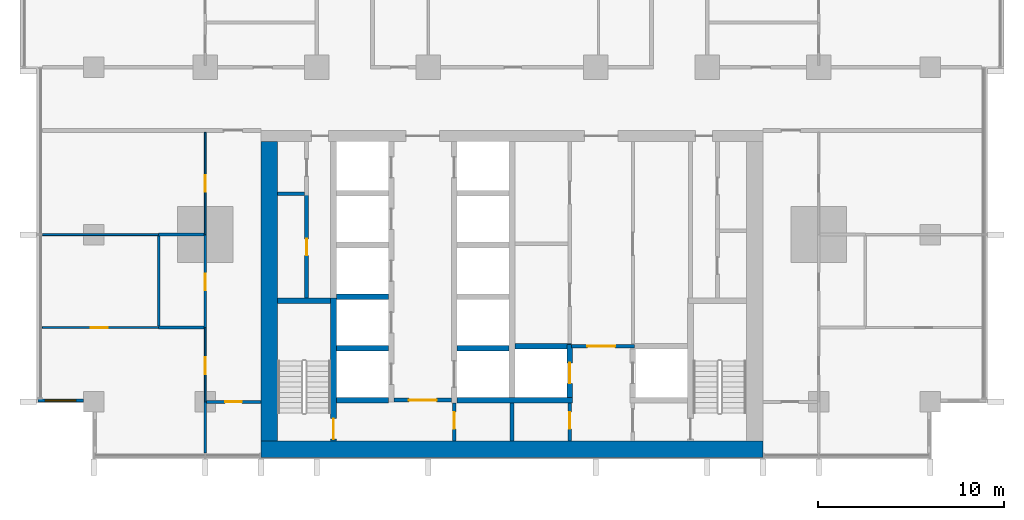
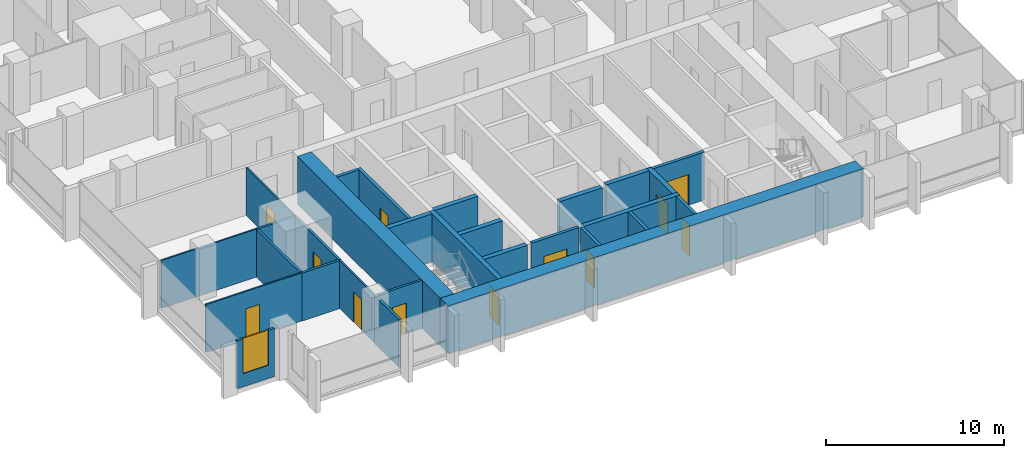
# One storey, part 7 of 18: 29 walls, 12 doors, 1 window, 13 openings.
"""IFC4 building model written with IfcOpenShell, lengths in metres."""

from ifc_helpers import new_model, si_unit, direction, frame, frame_2d, origin, place, context, subcontext, project, spatial, rectangle, extrude, material, layer, layer_set, type_object, element, fill, save


model = new_model("IFC4")

# Units and contexts
model_context = context("Model", 3, precision=1e-05, world=origin(), true_north=direction((0.0, 1.0)))
body_context = subcontext(model_context, "Body", "Model", "MODEL_VIEW")
ifc_project = project(units=[si_unit("LENGTHUNIT", "METRE"), si_unit("AREAUNIT", "SQUARE_METRE"), si_unit("VOLUMEUNIT", "CUBIC_METRE"), si_unit("PLANEANGLEUNIT", "RADIAN"), si_unit("MASSUNIT", "GRAM", prefix="KILO")], contexts=[model_context])

# Site, building, storey
site_placement = place(None, origin())
site = spatial("IfcSite", under=ifc_project, at=site_placement, CompositionType="ELEMENT")
building_placement = place(site_placement, origin())
building = spatial("IfcBuilding", under=site, at=building_placement, Name="Finial Court Residences", CompositionType="ELEMENT")
storey_placement = place(building_placement, frame((0.0, 0.0, 54.10009765625)))
storey = spatial("IfcBuildingStorey", under=building, at=storey_placement, Name="L12", CompositionType="ELEMENT", Elevation=54.10009765625)

# Walls
ifc_material_1 = material(Name="Concrete C80/95", Category="concrete")
ifc_layer_1 = layer(ifc_material_1, 0.89990234375)
ifc_layer_set_1 = layer_set([ifc_layer_1], Name="Core outer wall 900 Concrete C80/95")
wall_type_1 = type_object("IfcWallType", Name="Core outer wall 900 Concrete C80/95", PredefinedType="SHEAR", material=ifc_layer_set_1)
wall_1_placement = place(storey_placement, frame((-13.050048828125, -24.60009765625, 0.0), z_axis=(0.0, 0.0, 1.0), x_axis=(0.0, 1.0, 0.0)))
element("IfcWall", 1, at=wall_1_placement, inside=storey, type_object=wall_type_1, Name="Core outer wall L12-03", PredefinedType="SHEAR", context=body_context, shape_type="SweptSolid", body=[
    extrude(rectangle(XDim=16.10009765625, YDim=0.89990234375, at=frame_2d((8.050048828125, 0.0))), origin(), (0.0, 0.0, 1.0), 3.2998046875),
])
ifc_layer_2 = layer(ifc_material_1, 0.89990234375)
ifc_layer_set_2 = layer_set([ifc_layer_2], Name="Core south facade wall 900 Concrete C80/95")
wall_type_2 = type_object("IfcWallType", Name="Core south facade wall 900 Concrete C80/95", PredefinedType="SHEAR", material=ifc_layer_set_2)
wall_2_placement = place(storey_placement, frame((-13.5, -25.050048828125, 0.0), z_axis=(0.0, 0.0, 1.0), x_axis=(1.0, 0.0, 0.0)))
element("IfcWall", 2, at=wall_2_placement, inside=storey, type_object=wall_type_2, Name="Core outer wall L12-01", PredefinedType="SHEAR", context=body_context, shape_type="SweptSolid", body=[
    extrude(rectangle(XDim=27.0, YDim=0.89990234375, at=frame_2d((13.5, 0.0))), origin(), (0.0, 0.0, 1.0), 3.2998046875),
])

# Wall, opening, door
ifc_material_2 = material(Name="Fire-rated gypsum board partition")
ifc_layer_3 = layer(ifc_material_2, 0.199951171875)
ifc_layer_set_3 = layer_set([ifc_layer_3], Name="Firefighting lobby wall 200 EI 120")
wall_type_3 = type_object("IfcWallType", Name="Firefighting lobby wall 200 EI 120", PredefinedType="PARTITIONING", material=ifc_layer_set_3)
wall_3_placement = place(storey_placement, frame((6.574951171875, -19.5, 0.0), z_axis=(0.0, 0.0, 1.0), x_axis=(-1.0, 0.0, 0.0)))
wall_3 = element("IfcWall", 3, at=wall_3_placement, inside=storey, type_object=wall_type_3, Name="Core partition L12-08", PredefinedType="PARTITIONING", context=body_context, shape_type="SweptSolid", body=[
    extrude(rectangle(XDim=3.375, YDim=0.199951171875, at=frame_2d((1.6875, 0.0))), origin(), (0.0, 0.0, 1.0), 3.2998046875),
])
opening_1_placement = place(wall_3_placement, frame((1.02490234375, 0.0, 0.0)))
opening_1 = element("IfcOpeningElement", 4, at=opening_1_placement, cuts=wall_3, Name="Opening L12-C02", PredefinedType="OPENING", context=body_context, shape_type="SweptSolid", body=[
    extrude(rectangle(XDim=1.5, YDim=2.10009765625, at=frame_2d((0.75, 1.050048828125))), frame((0.0, 0.10986328125, 0.0), z_axis=(0.0, -1.0, 0.0), x_axis=(1.0, 0.0, 0.0)), (0.0, 0.0, 1.0), 0.219970703125),
])
ifc_material_3 = material(Name="Steel fire door", Category="steel")
door_type_1 = type_object("IfcDoorType", Name="Firefighting lobby door 1500 x 2100 EI 90", OperationType="DOUBLE_DOOR_SINGLE_SWING", PredefinedType="DOOR", material=ifc_material_3)
door_1_placement = place(opening_1_placement, origin())
door_1 = element("IfcDoor", 5, at=door_1_placement, inside=storey, type_object=door_type_1, Name="Firefighting lobby door L12-C02", OperationType="DOUBLE_DOOR_SINGLE_SWING", OverallHeight=2.10009765625, OverallWidth=1.5, PredefinedType="DOOR", context=body_context, shape_type="SweptSolid", body=[
    extrude(rectangle(XDim=1.5, YDim=2.10009765625, at=frame_2d((0.75, 1.050048828125))), frame((0.0, 0.02490234375, 0.0), z_axis=(0.0, -1.0, 0.0), x_axis=(1.0, 0.0, 0.0)), (0.0, 0.0, 1.0), 0.050048828125),
])
fill(opening_1, door_1)

wall_4_placement = place(storey_placement, frame((3.10009765625, -24.60009765625, 0.0), z_axis=(0.0, 0.0, 1.0), x_axis=(0.0, 1.0, 0.0)))
wall_4 = element("IfcWall", 6, at=wall_4_placement, inside=storey, type_object=wall_type_3, Name="Core partition L12-30", PredefinedType="PARTITIONING", context=body_context, shape_type="SweptSolid", body=[
    extrude(rectangle(XDim=2.050048828125, YDim=0.199951171875, at=frame_2d((1.02490234375, 0.0))), origin(), (0.0, 0.0, 1.0), 3.2998046875),
])
opening_2_placement = place(wall_4_placement, frame((0.64990234375, 0.0, 0.0)))
opening_2 = element("IfcOpeningElement", 7, at=opening_2_placement, cuts=wall_4, Name="Opening L12-C06", PredefinedType="OPENING", context=body_context, shape_type="SweptSolid", body=[
    extrude(rectangle(XDim=0.89990234375, YDim=2.10009765625, at=frame_2d((0.449951171875, 1.050048828125))), frame((0.0, 0.10986328125, 0.0), z_axis=(0.0, -1.0, 0.0), x_axis=(1.0, 0.0, 0.0)), (0.0, 0.0, 1.0), 0.219970703125),
])
door_type_2 = type_object("IfcDoorType", Name="Riser room door 900 x 2100 EI 90", OperationType="NOTDEFINED", PredefinedType="DOOR", material=ifc_material_3)
door_2_placement = place(opening_2_placement, origin())
door_2 = element("IfcDoor", 8, at=door_2_placement, inside=storey, type_object=door_type_2, Name="Riser room door L12-C06", OperationType="SINGLE_SWING_LEFT", OverallHeight=2.10009765625, OverallWidth=0.89990234375, PredefinedType="DOOR", context=body_context, shape_type="SweptSolid", body=[
    extrude(rectangle(XDim=0.89990234375, YDim=2.10009765625, at=frame_2d((0.449951171875, 1.050048828125))), frame((0.0, 0.02490234375, 0.0), z_axis=(0.0, -1.0, 0.0), x_axis=(1.0, 0.0, 0.0)), (0.0, 0.0, 1.0), 0.050048828125),
])
fill(opening_2, door_2)

ifc_material_4 = material(Name="Gypsum board")
ifc_layer_4 = layer(ifc_material_4, 0.012451171875)
ifc_material_5 = material(Name="Mineral wool in light-gauge frame")
ifc_layer_5 = layer(ifc_material_5, 0.074951171875)
ifc_layer_6 = layer(ifc_material_4, 0.012451171875)
ifc_layer_set_4 = layer_set([ifc_layer_4, ifc_layer_5, ifc_layer_6], Name="Gypsum board partition 100")
wall_type_4 = type_object("IfcWallType", Name="Gypsum board partition 100", PredefinedType="PARTITIONING", material=ifc_layer_set_4)
wall_5_placement = place(storey_placement, frame((-25.25, -18.5, 0.0), z_axis=(0.0, 0.0, 1.0), x_axis=(1.0, 0.0, 0.0)))
wall_5 = element("IfcWall", 9, at=wall_5_placement, inside=storey, type_object=wall_type_4, Name="Partition L12-002", PredefinedType="PARTITIONING", context=body_context, shape_type="SweptSolid", body=[
    extrude(rectangle(XDim=6.25, YDim=0.10009765625, at=frame_2d((3.125, 0.0))), origin(), (0.0, 0.0, 1.0), 3.2998046875),
])
opening_3_placement = place(wall_5_placement, frame((2.60009765625, 0.0, 0.0)))
opening_3 = element("IfcOpeningElement", 10, at=opening_3_placement, cuts=wall_5, Name="Opening L12-D003", PredefinedType="OPENING", context=body_context, shape_type="SweptSolid", body=[
    extrude(rectangle(XDim=0.89990234375, YDim=2.10009765625, at=frame_2d((0.449951171875, 1.050048828125))), frame((0.0, 0.06005859375, 0.0), z_axis=(0.0, -1.0, 0.0), x_axis=(1.0, 0.0, 0.0)), (0.0, 0.0, 1.0), 0.1201171875),
])
ifc_material_6 = material(Name="Timber door leaf in timber frame", Category="wood")
door_type_3 = type_object("IfcDoorType", Name="Door set 900 x 2100", OperationType="SINGLE_SWING_LEFT", PredefinedType="DOOR", material=ifc_material_6)
door_3_placement = place(opening_3_placement, origin())
door_3 = element("IfcDoor", 11, at=door_3_placement, inside=storey, type_object=door_type_3, Name="Door L12-D003", OperationType="SINGLE_SWING_LEFT", OverallHeight=2.10009765625, OverallWidth=0.89990234375, PredefinedType="DOOR", context=body_context, shape_type="SweptSolid", body=[
    extrude(rectangle(XDim=0.89990234375, YDim=2.10009765625, at=frame_2d((0.449951171875, 1.050048828125))), frame((0.0, 0.02490234375, 0.0), z_axis=(0.0, -1.0, 0.0), x_axis=(1.0, 0.0, 0.0)), (0.0, 0.0, 1.0), 0.050048828125),
])
fill(opening_3, door_3)

# Wall
wall_6_placement = place(storey_placement, frame((-25.25, -13.5, 0.0), z_axis=(0.0, 0.0, 1.0), x_axis=(1.0, 0.0, 0.0)))
element("IfcWall", 12, at=wall_6_placement, inside=storey, type_object=wall_type_4, Name="Partition L12-006", PredefinedType="PARTITIONING", context=body_context, shape_type="SweptSolid", body=[
    extrude(rectangle(XDim=6.25, YDim=0.10009765625, at=frame_2d((3.125, 0.0))), origin(), (0.0, 0.0, 1.0), 3.2998046875),
])

# Wall, opening, door
wall_7_placement = place(storey_placement, frame((-16.5, -22.5, 0.0), z_axis=(0.0, 0.0, 1.0), x_axis=(0.0, 1.0, 0.0)))
wall_7 = element("IfcWall", 13, at=wall_7_placement, inside=storey, type_object=wall_type_4, Name="Partition L12-060", PredefinedType="PARTITIONING", context=body_context, shape_type="SweptSolid", body=[
    extrude(rectangle(XDim=4.0, YDim=0.10009765625, at=frame_2d((2.0, 0.0))), origin(), (0.0, 0.0, 1.0), 3.2998046875),
])
opening_4_placement = place(wall_7_placement, frame((1.5, 0.0, 0.0)))
opening_4 = element("IfcOpeningElement", 14, at=opening_4_placement, cuts=wall_7, Name="Opening L12-D035", PredefinedType="OPENING", context=body_context, shape_type="SweptSolid", body=[
    extrude(rectangle(XDim=0.89990234375, YDim=2.10009765625, at=frame_2d((0.449951171875, 1.050048828125))), frame((0.0, 0.06005859375, 0.0), z_axis=(0.0, -1.0, 0.0), x_axis=(1.0, 0.0, 0.0)), (0.0, 0.0, 1.0), 0.1201171875),
])
door_4_placement = place(opening_4_placement, origin())
door_4 = element("IfcDoor", 15, at=door_4_placement, inside=storey, type_object=door_type_3, Name="Door L12-D035", OperationType="SINGLE_SWING_LEFT", OverallHeight=2.10009765625, OverallWidth=0.89990234375, PredefinedType="DOOR", context=body_context, shape_type="SweptSolid", body=[
    extrude(rectangle(XDim=0.89990234375, YDim=2.10009765625, at=frame_2d((0.449951171875, 1.050048828125))), frame((0.0, 0.02490234375, 0.0), z_axis=(0.0, -1.0, 0.0), x_axis=(1.0, 0.0, 0.0)), (0.0, 0.0, 1.0), 0.050048828125),
])
fill(opening_4, door_4)

wall_8_placement = place(storey_placement, frame((-16.5, -13.5, 0.0), z_axis=(0.0, 0.0, 1.0), x_axis=(0.0, 1.0, 0.0)))
wall_8 = element("IfcWall", 16, at=wall_8_placement, inside=storey, type_object=wall_type_4, Name="Partition L12-061", PredefinedType="PARTITIONING", context=body_context, shape_type="SweptSolid", body=[
    extrude(rectangle(XDim=5.5, YDim=0.10009765625, at=frame_2d((2.75, 0.0))), origin(), (0.0, 0.0, 1.0), 3.2998046875),
])
opening_5_placement = place(wall_8_placement, frame((2.300048828125, 0.0, 0.0)))
opening_5 = element("IfcOpeningElement", 17, at=opening_5_placement, cuts=wall_8, Name="Opening L12-D036", PredefinedType="OPENING", context=body_context, shape_type="SweptSolid", body=[
    extrude(rectangle(XDim=0.89990234375, YDim=2.10009765625, at=frame_2d((0.449951171875, 1.050048828125))), frame((0.0, 0.06005859375, 0.0), z_axis=(0.0, -1.0, 0.0), x_axis=(1.0, 0.0, 0.0)), (0.0, 0.0, 1.0), 0.1201171875),
])
door_5_placement = place(opening_5_placement, origin())
door_5 = element("IfcDoor", 18, at=door_5_placement, inside=storey, type_object=door_type_3, Name="Door L12-D036", OperationType="SINGLE_SWING_LEFT", OverallHeight=2.10009765625, OverallWidth=0.89990234375, PredefinedType="DOOR", context=body_context, shape_type="SweptSolid", body=[
    extrude(rectangle(XDim=0.89990234375, YDim=2.10009765625, at=frame_2d((0.449951171875, 1.050048828125))), frame((0.0, 0.02490234375, 0.0), z_axis=(0.0, -1.0, 0.0), x_axis=(1.0, 0.0, 0.0)), (0.0, 0.0, 1.0), 0.050048828125),
])
fill(opening_5, door_5)

ifc_material_7 = material(Name="Moisture-resistant gypsum board")
ifc_layer_7 = layer(ifc_material_7, 0.012451171875)
ifc_layer_8 = layer(ifc_material_5, 0.125)
ifc_layer_9 = layer(ifc_material_7, 0.012451171875)
ifc_layer_set_5 = layer_set([ifc_layer_7, ifc_layer_8, ifc_layer_9], Name="Gypsum board wet-area partition 150")
wall_type_5 = type_object("IfcWallType", Name="Gypsum board wet-area partition 150", PredefinedType="PARTITIONING", material=ifc_layer_set_5)
wall_9_placement = place(storey_placement, frame((-16.425048828125, -22.5, 0.0), z_axis=(0.0, 0.0, 1.0), x_axis=(1.0, 0.0, 0.0)))
wall_9 = element("IfcWall", 19, at=wall_9_placement, inside=storey, type_object=wall_type_5, Name="Partition L12-000", PredefinedType="PARTITIONING", context=body_context, shape_type="SweptSolid", body=[
    extrude(rectangle(XDim=2.925048828125, YDim=0.14990234375, at=frame_2d((1.46240234375, 0.0))), origin(), (0.0, 0.0, 1.0), 3.2998046875),
])
opening_6_placement = place(wall_9_placement, frame((1.0, 0.0, 0.0)))
opening_6 = element("IfcOpeningElement", 20, at=opening_6_placement, cuts=wall_9, Name="Opening L12-D001", PredefinedType="OPENING", context=body_context, shape_type="SweptSolid", body=[
    extrude(rectangle(XDim=0.89990234375, YDim=2.10009765625, at=frame_2d((0.449951171875, 1.050048828125))), frame((0.0, 0.0849609375, 0.0), z_axis=(0.0, -1.0, 0.0), x_axis=(1.0, 0.0, 0.0)), (0.0, 0.0, 1.0), 0.169921875),
])
door_6_placement = place(opening_6_placement, origin())
door_6 = element("IfcDoor", 21, at=door_6_placement, inside=storey, type_object=door_type_3, Name="Door L12-D001", OperationType="SINGLE_SWING_LEFT", OverallHeight=2.10009765625, OverallWidth=0.89990234375, PredefinedType="DOOR", context=body_context, shape_type="SweptSolid", body=[
    extrude(rectangle(XDim=0.89990234375, YDim=2.10009765625, at=frame_2d((0.449951171875, 1.050048828125))), frame((0.0, 0.02490234375, 0.0), z_axis=(0.0, -1.0, 0.0), x_axis=(1.0, 0.0, 0.0)), (0.0, 0.0, 1.0), 0.050048828125),
])
fill(opening_6, door_6)

# Walls
for number, where, z_axis, x_axis, name in (
    (22, (-19.0, -18.5, 0.0), (0.0, 0.0, 1.0), (1.0, 0.0, 0.0), "Partition L12-004"),
    (23, (-19.0, -13.5, 0.0), (0.0, 0.0, 1.0), (1.0, 0.0, 0.0), "Partition L12-008"),
):
    element("IfcWall", number, at=place(storey_placement, frame(where, z_axis=z_axis, x_axis=x_axis)), inside=storey, type_object=wall_type_5, Name=name, PredefinedType="PARTITIONING", context=body_context, shape_type="SweptSolid", body=[
        extrude(rectangle(XDim=2.425048828125, YDim=0.14990234375, at=frame_2d((1.21240234375, 0.0))), origin(), (0.0, 0.0, 1.0), 3.2998046875),
    ])
wall_10_placement = place(storey_placement, frame((-19.0, -18.425048828125, 0.0), z_axis=(0.0, 0.0, 1.0), x_axis=(0.0, 1.0, 0.0)))
element("IfcWall", 24, at=wall_10_placement, inside=storey, type_object=wall_type_5, Name="Partition L12-057", PredefinedType="PARTITIONING", context=body_context, shape_type="SweptSolid", body=[
    extrude(rectangle(XDim=4.85009765625, YDim=0.14990234375, at=frame_2d((2.425048828125, 0.0))), origin(), (0.0, 0.0, 1.0), 3.2998046875),
])
wall_11_placement = place(storey_placement, frame((-16.5, -25.25, 0.0), z_axis=(0.0, 0.0, 1.0), x_axis=(0.0, 1.0, 0.0)))
element("IfcWall", 25, at=wall_11_placement, inside=storey, type_object=wall_type_5, Name="Partition L12-065", PredefinedType="PARTITIONING", context=body_context, shape_type="SweptSolid", body=[
    extrude(rectangle(XDim=2.75, YDim=0.14990234375, at=frame_2d((1.375, 0.0))), origin(), (0.0, 0.0, 1.0), 3.2998046875),
])

# Wall, opening, door
wall_12_placement = place(storey_placement, frame((-16.5, -18.5, 0.0), z_axis=(0.0, 0.0, 1.0), x_axis=(0.0, 1.0, 0.0)))
wall_12 = element("IfcWall", 26, at=wall_12_placement, inside=storey, type_object=wall_type_5, Name="Partition L12-066", PredefinedType="PARTITIONING", context=body_context, shape_type="SweptSolid", body=[
    extrude(rectangle(XDim=5.0, YDim=0.14990234375, at=frame_2d((2.5, 0.0))), origin(), (0.0, 0.0, 1.0), 3.2998046875),
])
opening_7_placement = place(wall_12_placement, frame((2.0, 0.0, 0.0)))
opening_7 = element("IfcOpeningElement", 27, at=opening_7_placement, cuts=wall_12, Name="Opening L12-D040", PredefinedType="OPENING", context=body_context, shape_type="SweptSolid", body=[
    extrude(rectangle(XDim=0.89990234375, YDim=2.10009765625, at=frame_2d((0.449951171875, 1.050048828125))), frame((0.0, 0.0849609375, 0.0), z_axis=(0.0, -1.0, 0.0), x_axis=(1.0, 0.0, 0.0)), (0.0, 0.0, 1.0), 0.169921875),
])
door_7_placement = place(opening_7_placement, origin())
door_7 = element("IfcDoor", 28, at=door_7_placement, inside=storey, type_object=door_type_3, Name="Door L12-D040", OperationType="SINGLE_SWING_RIGHT", OverallHeight=2.10009765625, OverallWidth=0.89990234375, PredefinedType="DOOR", context=body_context, shape_type="SweptSolid", body=[
    extrude(rectangle(XDim=0.89990234375, YDim=2.10009765625, at=frame_2d((0.449951171875, 1.050048828125))), frame((0.0, 0.02490234375, 0.0), z_axis=(0.0, -1.0, 0.0), x_axis=(1.0, 0.0, 0.0)), (0.0, 0.0, 1.0), 0.050048828125),
])
fill(opening_7, door_7)

# Walls
ifc_layer_10 = layer(ifc_material_1, 0.300048828125)
ifc_layer_set_6 = layer_set([ifc_layer_10], Name="Lift shaft and stair wall 300 Concrete C80/95")
wall_type_6 = type_object("IfcWallType", Name="Lift shaft and stair wall 300 Concrete C80/95", PredefinedType="SHEAR", material=ifc_layer_set_6)
wall_13_placement = place(storey_placement, frame((-9.449951171875, -22.39990234375, 0.0), z_axis=(0.0, 0.0, 1.0), x_axis=(1.0, 0.0, 0.0)))
element("IfcWall", 29, at=wall_13_placement, inside=storey, type_object=wall_type_6, Name="Core wall L12-01", PredefinedType="SHEAR", context=body_context, shape_type="SweptSolid", body=[
    extrude(rectangle(XDim=2.800048828125, YDim=0.300048828125, at=frame_2d((1.39990234375, 0.0))), origin(), (0.0, 0.0, 1.0), 3.2998046875),
])
wall_14_placement = place(storey_placement, frame((-2.949951171875, -22.39990234375, 0.0), z_axis=(0.0, 0.0, 1.0), x_axis=(1.0, 0.0, 0.0)))
element("IfcWall", 30, at=wall_14_placement, inside=storey, type_object=wall_type_6, Name="Core wall L12-03", PredefinedType="SHEAR", context=body_context, shape_type="SweptSolid", body=[
    extrude(rectangle(XDim=6.199951171875, YDim=0.300048828125, at=frame_2d((3.10009765625, 0.0))), origin(), (0.0, 0.0, 1.0), 3.2998046875),
])
for number, where, z_axis, x_axis, name in (
    (31, (-9.449951171875, -19.6201171875, 0.0), (0.0, 0.0, 1.0), (1.0, 0.0, 0.0), "Core wall L12-05"),
    (32, (-2.949951171875, -19.6201171875, 0.0), (0.0, 0.0, 1.0), (1.0, 0.0, 0.0), "Core wall L12-06"),
):
    element("IfcWall", number, at=place(storey_placement, frame(where, z_axis=z_axis, x_axis=x_axis)), inside=storey, type_object=wall_type_6, Name=name, PredefinedType="SHEAR", context=body_context, shape_type="SweptSolid", body=[
        extrude(rectangle(XDim=2.800048828125, YDim=0.300048828125, at=frame_2d((1.39990234375, 0.0))), origin(), (0.0, 0.0, 1.0), 3.2998046875),
    ])
wall_15_placement = place(storey_placement, frame((0.14990234375, -19.5, 0.0), z_axis=(0.0, 0.0, 1.0), x_axis=(1.0, 0.0, 0.0)))
element("IfcWall", 33, at=wall_15_placement, inside=storey, type_object=wall_type_6, Name="Core wall L12-07", PredefinedType="SHEAR", context=body_context, shape_type="SweptSolid", body=[
    extrude(rectangle(XDim=3.050048828125, YDim=0.300048828125, at=frame_2d((1.52490234375, 0.0))), origin(), (0.0, 0.0, 1.0), 3.2998046875),
])
wall_16_placement = place(storey_placement, frame((-12.60009765625, -17.050048828125, 0.0), z_axis=(0.0, 0.0, 1.0), x_axis=(1.0, 0.0, 0.0)))
element("IfcWall", 34, at=wall_16_placement, inside=storey, type_object=wall_type_6, Name="Core wall L12-10", PredefinedType="SHEAR", context=body_context, shape_type="SweptSolid", body=[
    extrude(rectangle(XDim=2.85009765625, YDim=0.300048828125, at=frame_2d((1.425048828125, 0.0))), origin(), (0.0, 0.0, 1.0), 3.2998046875),
])
wall_17_placement = place(storey_placement, frame((-9.449951171875, -16.840087890625, 0.0), z_axis=(0.0, 0.0, 1.0), x_axis=(1.0, 0.0, 0.0)))
element("IfcWall", 35, at=wall_17_placement, inside=storey, type_object=wall_type_6, Name="Core wall L12-12", PredefinedType="SHEAR", context=body_context, shape_type="SweptSolid", body=[
    extrude(rectangle(XDim=2.800048828125, YDim=0.300048828125, at=frame_2d((1.39990234375, 0.0))), origin(), (0.0, 0.0, 1.0), 3.2998046875),
])

# Wall, opening, door
wall_18_placement = place(storey_placement, frame((-9.60009765625, -24.60009765625, 0.0), z_axis=(0.0, 0.0, 1.0), x_axis=(0.0, 1.0, 0.0)))
wall_18 = element("IfcWall", 36, at=wall_18_placement, inside=storey, type_object=wall_type_6, Name="Core wall L12-23", PredefinedType="SHEAR", context=body_context, shape_type="SweptSolid", body=[
    extrude(rectangle(XDim=7.7001953125, YDim=0.300048828125, at=frame_2d((3.85009765625, 0.0))), origin(), (0.0, 0.0, 1.0), 3.2998046875),
])
opening_8_placement = place(wall_18_placement, frame((0.10009765625, 0.0, 0.0)))
opening_8 = element("IfcOpeningElement", 37, at=opening_8_placement, cuts=wall_18, Name="Opening L12-C17", PredefinedType="OPENING", context=body_context, shape_type="SweptSolid", body=[
    extrude(rectangle(XDim=1.10009765625, YDim=2.10009765625, at=frame_2d((0.550048828125, 1.050048828125))), frame((0.0, 0.159912109375, 0.0), z_axis=(0.0, -1.0, 0.0), x_axis=(1.0, 0.0, 0.0)), (0.0, 0.0, 1.0), 0.320068359375),
])
door_type_4 = type_object("IfcDoorType", Name="Stair door 1100 x 2100 EI 90", OperationType="NOTDEFINED", PredefinedType="DOOR", material=ifc_material_3)
door_8_placement = place(opening_8_placement, origin())
door_8 = element("IfcDoor", 38, at=door_8_placement, inside=storey, type_object=door_type_4, Name="Stair door L12-C17", OperationType="SINGLE_SWING_LEFT", OverallHeight=2.10009765625, OverallWidth=1.10009765625, PredefinedType="DOOR", context=body_context, shape_type="SweptSolid", body=[
    extrude(rectangle(XDim=1.10009765625, YDim=2.10009765625, at=frame_2d((0.550048828125, 1.050048828125))), frame((0.0, 0.02490234375, 0.0), z_axis=(0.0, -1.0, 0.0), x_axis=(1.0, 0.0, 0.0)), (0.0, 0.0, 1.0), 0.050048828125),
])
fill(opening_8, door_8)

wall_19_placement = place(storey_placement, frame((3.10009765625, -22.25, 0.0), z_axis=(0.0, 0.0, 1.0), x_axis=(0.0, 1.0, 0.0)))
wall_19 = element("IfcWall", 39, at=wall_19_placement, inside=storey, type_object=wall_type_6, Name="Core wall L12-31", PredefinedType="SHEAR", context=body_context, shape_type="SweptSolid", body=[
    extrude(rectangle(XDim=2.85009765625, YDim=0.300048828125, at=frame_2d((1.425048828125, 0.0))), origin(), (0.0, 0.0, 1.0), 3.2998046875),
])
opening_9_placement = place(wall_19_placement, frame((0.75, 0.0, 0.0)))
opening_9 = element("IfcOpeningElement", 40, at=opening_9_placement, cuts=wall_19, Name="Opening L12-LD01", PredefinedType="OPENING", context=body_context, shape_type="SweptSolid", body=[
    extrude(rectangle(XDim=1.10009765625, YDim=2.10009765625, at=frame_2d((0.550048828125, 1.050048828125))), frame((0.0, 0.159912109375, 0.0), z_axis=(0.0, -1.0, 0.0), x_axis=(1.0, 0.0, 0.0)), (0.0, 0.0, 1.0), 0.320068359375),
])
ifc_material_8 = material(Name="Stainless steel lift door", Category="steel")
door_type_5 = type_object("IfcDoorType", Name="Lift landing door 1100 x 2100 EI 90", OperationType="DOUBLE_DOOR_SLIDING", PredefinedType="DOOR", material=ifc_material_8)
door_9_placement = place(opening_9_placement, origin())
door_9 = element("IfcDoor", 41, at=door_9_placement, inside=storey, type_object=door_type_5, Name="Lift landing door FF1 L12", OperationType="DOUBLE_DOOR_SLIDING", OverallHeight=2.10009765625, OverallWidth=1.10009765625, PredefinedType="DOOR", context=body_context, shape_type="SweptSolid", body=[
    extrude(rectangle(XDim=1.10009765625, YDim=2.10009765625, at=frame_2d((0.550048828125, 1.050048828125))), frame((0.0, 0.02490234375, 0.0), z_axis=(0.0, -1.0, 0.0), x_axis=(1.0, 0.0, 0.0)), (0.0, 0.0, 1.0), 0.050048828125),
])
fill(opening_9, door_9)

# Wall, opening, window
ifc_material_9 = material(Name="Natural limestone", Category="masonry")
ifc_layer_11 = layer(ifc_material_9, 0.14990234375)
ifc_layer_set_7 = layer_set([ifc_layer_11], Name="Limestone clad wall 150")
wall_type_7 = type_object("IfcWallType", Name="Limestone clad wall 150", PredefinedType="SOLIDWALL", material=ifc_layer_set_7)
wall_20_placement = place(storey_placement, frame((-23.050048828125, -22.425048828125, 0.0), z_axis=(0.0, 0.0, 1.0), x_axis=(-1.0, 0.0, 0.0)))
wall_20 = element("IfcWall", 42, at=wall_20_placement, inside=storey, type_object=wall_type_7, Name="E-L12-NWS14", PredefinedType="SOLIDWALL", context=body_context, shape_type="SweptSolid", body=[
    extrude(rectangle(XDim=2.449951171875, YDim=0.14990234375, at=frame_2d((1.22509765625, 0.0))), origin(), (0.0, 0.0, 1.0), 3.2998046875),
])
opening_10_placement = place(wall_20_placement, frame((0.39990234375, 0.0, 0.89990234375)))
opening_10 = element("IfcOpeningElement", 43, at=opening_10_placement, cuts=wall_20, Name="Opening WE12-02", PredefinedType="OPENING", context=body_context, shape_type="SweptSolid", body=[
    extrude(rectangle(XDim=1.64990234375, YDim=2.39990234375, at=frame_2d((0.824951171875, 1.199951171875))), frame((0.0, 0.0849609375, 0.0), z_axis=(0.0, -1.0, 0.0), x_axis=(1.0, 0.0, 0.0)), (0.0, 0.0, 1.0), 0.169921875),
])
ifc_material_10 = material(Name="Clear low-e glass", Category="glass")
window_type = type_object("IfcWindowType", Name="Corner window 1650 x 2400", PartitioningType="SINGLE_PANEL", PredefinedType="WINDOW", material=ifc_material_10)
window_placement = place(opening_10_placement, origin())
window = element("IfcWindow", 44, at=window_placement, inside=storey, type_object=window_type, Name="E-L12-NWS14-W1", OverallHeight=2.39990234375, OverallWidth=1.64990234375, PartitioningType="SINGLE_PANEL", PredefinedType="WINDOW", context=body_context, shape_type="SweptSolid", body=[
    extrude(rectangle(XDim=1.64990234375, YDim=2.39990234375, at=frame_2d((0.824951171875, 1.199951171875))), frame((0.0, 0.030029296875, 0.0), z_axis=(0.0, -1.0, 0.0), x_axis=(1.0, 0.0, 0.0)), (0.0, 0.0, 1.0), 0.06005859375),
])
fill(opening_10, window)

# Walls
ifc_layer_12 = layer(ifc_material_2, 0.199951171875)
ifc_layer_set_8 = layer_set([ifc_layer_12], Name="Riser room wall 200 EI 120")
wall_type_8 = type_object("IfcWallType", Name="Riser room wall 200 EI 120", PredefinedType="PARTITIONING", material=ifc_layer_set_8)
wall_21_placement = place(storey_placement, frame((-12.60009765625, -11.300048828125, 0.0), z_axis=(0.0, 0.0, 1.0), x_axis=(1.0, 0.0, 0.0)))
element("IfcWall", 45, at=wall_21_placement, inside=storey, type_object=wall_type_8, Name="Core partition L12-18", PredefinedType="PARTITIONING", context=body_context, shape_type="SweptSolid", body=[
    extrude(rectangle(XDim=1.4501953125, YDim=0.199951171875, at=frame_2d((0.72509765625, 0.0))), origin(), (0.0, 0.0, 1.0), 3.2998046875),
])
wall_22_placement = place(storey_placement, frame((0.0, -24.60009765625, 0.0), z_axis=(0.0, 0.0, 1.0), x_axis=(0.0, 1.0, 0.0)))
element("IfcWall", 46, at=wall_22_placement, inside=storey, type_object=wall_type_8, Name="Core partition L12-28", PredefinedType="PARTITIONING", context=body_context, shape_type="SweptSolid", body=[
    extrude(rectangle(XDim=2.050048828125, YDim=0.199951171875, at=frame_2d((1.02490234375, 0.0))), origin(), (0.0, 0.0, 1.0), 3.2998046875),
])

# Wall, opening, door
ifc_layer_13 = layer(ifc_material_2, 0.199951171875)
ifc_layer_set_9 = layer_set([ifc_layer_13], Name="Stair passage wall 200 EI 180")
wall_type_9 = type_object("IfcWallType", Name="Stair passage wall 200 EI 180", PredefinedType="PARTITIONING", material=ifc_layer_set_9)
wall_23_placement = place(storey_placement, frame((-3.25, -22.39990234375, 0.0), z_axis=(0.0, 0.0, 1.0), x_axis=(-1.0, 0.0, 0.0)))
wall_23 = element("IfcWall", 47, at=wall_23_placement, inside=storey, type_object=wall_type_9, Name="Core partition L12-02", PredefinedType="PARTITIONING", context=body_context, shape_type="SweptSolid", body=[
    extrude(rectangle(XDim=3.10009765625, YDim=0.199951171875, at=frame_2d((1.550048828125, 0.0))), origin(), (0.0, 0.0, 1.0), 3.2998046875),
])
opening_11_placement = place(wall_23_placement, frame((0.800048828125, 0.0, 0.0)))
opening_11 = element("IfcOpeningElement", 48, at=opening_11_placement, cuts=wall_23, Name="Opening L12-C03", PredefinedType="OPENING", context=body_context, shape_type="SweptSolid", body=[
    extrude(rectangle(XDim=1.5, YDim=2.10009765625, at=frame_2d((0.75, 1.050048828125))), frame((0.0, 0.10986328125, 0.0), z_axis=(0.0, -1.0, 0.0), x_axis=(1.0, 0.0, 0.0)), (0.0, 0.0, 1.0), 0.219970703125),
])
door_type_6 = type_object("IfcDoorType", Name="Lift lobby door 1500 x 2100 EI 60", OperationType="DOUBLE_DOOR_SINGLE_SWING", PredefinedType="DOOR", material=ifc_material_3)
door_10_placement = place(opening_11_placement, origin())
door_10 = element("IfcDoor", 49, at=door_10_placement, inside=storey, type_object=door_type_6, Name="Lift lobby door L12-C03", OperationType="DOUBLE_DOOR_SINGLE_SWING", OverallHeight=2.10009765625, OverallWidth=1.5, PredefinedType="DOOR", context=body_context, shape_type="SweptSolid", body=[
    extrude(rectangle(XDim=1.5, YDim=2.10009765625, at=frame_2d((0.75, 1.050048828125))), frame((0.0, 0.02490234375, 0.0), z_axis=(0.0, -1.0, 0.0), x_axis=(1.0, 0.0, 0.0)), (0.0, 0.0, 1.0), 0.050048828125),
])
fill(opening_11, door_10)

wall_24_placement = place(storey_placement, frame((-11.050048828125, -16.89990234375, 0.0), z_axis=(0.0, 0.0, 1.0), x_axis=(0.0, 1.0, 0.0)))
wall_24 = element("IfcWall", 50, at=wall_24_placement, inside=storey, type_object=wall_type_9, Name="Core partition L12-21", PredefinedType="PARTITIONING", context=body_context, shape_type="SweptSolid", body=[
    extrude(rectangle(XDim=5.699951171875, YDim=0.199951171875, at=frame_2d((2.85009765625, 0.0))), origin(), (0.0, 0.0, 1.0), 3.2998046875),
])
opening_12_placement = place(wall_24_placement, frame((2.27490234375, 0.0, 0.0)))
opening_12 = element("IfcOpeningElement", 51, at=opening_12_placement, cuts=wall_24, Name="Opening L12-C14", PredefinedType="OPENING", context=body_context, shape_type="SweptSolid", body=[
    extrude(rectangle(XDim=0.89990234375, YDim=2.10009765625, at=frame_2d((0.449951171875, 1.050048828125))), frame((0.0, 0.10986328125, 0.0), z_axis=(0.0, -1.0, 0.0), x_axis=(1.0, 0.0, 0.0)), (0.0, 0.0, 1.0), 0.219970703125),
])
door_type_7 = type_object("IfcDoorType", Name="Core room door 900 x 2100 EI 60", OperationType="NOTDEFINED", PredefinedType="DOOR", material=ifc_material_3)
door_11_placement = place(opening_12_placement, origin())
door_11 = element("IfcDoor", 52, at=door_11_placement, inside=storey, type_object=door_type_7, Name="Core room door L12-C14", OperationType="SINGLE_SWING_LEFT", OverallHeight=2.10009765625, OverallWidth=0.89990234375, PredefinedType="DOOR", context=body_context, shape_type="SweptSolid", body=[
    extrude(rectangle(XDim=0.89990234375, YDim=2.10009765625, at=frame_2d((0.449951171875, 1.050048828125))), frame((0.0, 0.02490234375, 0.0), z_axis=(0.0, -1.0, 0.0), x_axis=(1.0, 0.0, 0.0)), (0.0, 0.0, 1.0), 0.050048828125),
])
fill(opening_12, door_11)

wall_25_placement = place(storey_placement, frame((-3.10009765625, -22.550048828125, 0.0), z_axis=(0.0, 0.0, 1.0), x_axis=(0.0, -1.0, 0.0)))
wall_25 = element("IfcWall", 53, at=wall_25_placement, inside=storey, type_object=wall_type_9, Name="Core partition L12-26", PredefinedType="PARTITIONING", context=body_context, shape_type="SweptSolid", body=[
    extrude(rectangle(XDim=2.050048828125, YDim=0.199951171875, at=frame_2d((1.02490234375, 0.0))), origin(), (0.0, 0.0, 1.0), 3.2998046875),
])
opening_13_placement = place(wall_25_placement, frame((0.5, 0.0, 0.0)))
opening_13 = element("IfcOpeningElement", 54, at=opening_13_placement, cuts=wall_25, Name="Opening L12-C13", PredefinedType="OPENING", context=body_context, shape_type="SweptSolid", body=[
    extrude(rectangle(XDim=0.89990234375, YDim=2.10009765625, at=frame_2d((0.449951171875, 1.050048828125))), frame((0.0, 0.10986328125, 0.0), z_axis=(0.0, -1.0, 0.0), x_axis=(1.0, 0.0, 0.0)), (0.0, 0.0, 1.0), 0.219970703125),
])
door_12_placement = place(opening_13_placement, origin())
door_12 = element("IfcDoor", 55, at=door_12_placement, inside=storey, type_object=door_type_7, Name="Core room door L12-C13", OperationType="SINGLE_SWING_RIGHT", OverallHeight=2.10009765625, OverallWidth=0.89990234375, PredefinedType="DOOR", context=body_context, shape_type="SweptSolid", body=[
    extrude(rectangle(XDim=0.89990234375, YDim=2.10009765625, at=frame_2d((0.449951171875, 1.050048828125))), frame((0.0, 0.02490234375, 0.0), z_axis=(0.0, -1.0, 0.0), x_axis=(1.0, 0.0, 0.0)), (0.0, 0.0, 1.0), 0.050048828125),
])
fill(opening_13, door_12)

save(model, "model.ifc")
